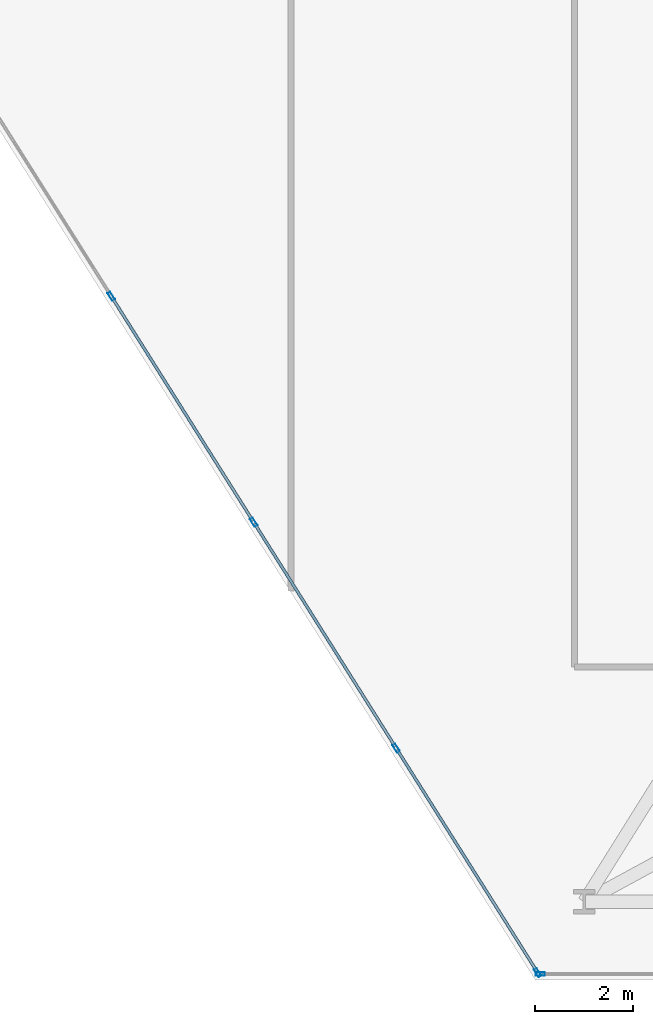
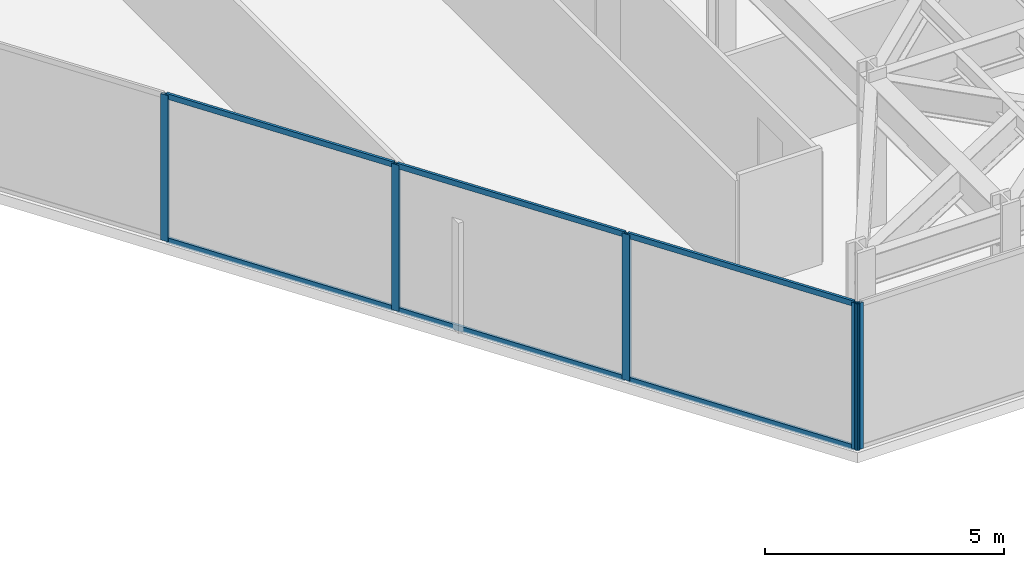
# One storey, part 12 of 25: 11 members, 2 elements without a shape of their own.
"""IFC4 building model written with IfcOpenShell, lengths in metres."""

from ifc_helpers import new_model, si_unit, direction, frame, origin, origin_2d, place, context, subcontext, project, spatial, hollow_rectangle, extrude, material, layer, layer_set, material_profile, profile_set, type_object, element, aggregate, save


model = new_model("IFC4")

# Units and contexts
model_context = context("Model", 3, precision=1e-05, world=origin(), true_north=direction((0.0, 1.0)))
body_context = subcontext(model_context, "Body", "Model", "MODEL_VIEW")
ifc_project = project(units=[si_unit("LENGTHUNIT", "METRE"), si_unit("AREAUNIT", "SQUARE_METRE"), si_unit("VOLUMEUNIT", "CUBIC_METRE"), si_unit("PLANEANGLEUNIT", "RADIAN"), si_unit("MASSUNIT", "GRAM", prefix="KILO")], contexts=[model_context])

# Site, building, storey
site_placement = place(None, origin())
site = spatial("IfcSite", under=ifc_project, at=site_placement, CompositionType="ELEMENT")
building_placement = place(site_placement, origin())
building = spatial("IfcBuilding", under=site, at=building_placement, Name="Kravanh Interchange Tower", CompositionType="ELEMENT")
storey_placement = place(building_placement, frame((0.0, 0.0, 73.5)))
storey = spatial("IfcBuildingStorey", under=building, at=storey_placement, Name="L17", CompositionType="ELEMENT", Elevation=73.5)

# Curtain wall, member
ifc_material_1 = material(Name="Anodised Bronze Aluminium", Category="aluminium")
ifc_layer = layer(ifc_material_1, 0.179931640625)
ifc_layer_set = layer_set([ifc_layer], Name="Unitised Curtain Wall System CW-Z1 Lower Office")
curtain_wall_type = type_object("IfcCurtainWallType", Name="Unitised Curtain Wall System CW-Z1 Lower Office", PredefinedType="NOTDEFINED", material=ifc_layer_set)
curtain_wall_1_placement = place(storey_placement, origin())
curtain_wall_1 = element("IfcCurtainWall", 1, at=curtain_wall_1_placement, inside=storey, type_object=curtain_wall_type, Name="L17 Unitised Curtain Wall CW-L17-03", PredefinedType="NOTDEFINED")
ifc_material_2 = material(Name="Anodised Bronze Aluminium", Category="aluminium")
ifc_material_profile_1 = material_profile(ifc_material_2, hollow_rectangle(XDim=0.070068359375, YDim=0.179931640625, WallThickness=0.00390625, at=origin_2d()), Name="ALU70X180X4")
ifc_profile_set_1 = profile_set([ifc_material_profile_1], Name="Anodised Bronze Aluminium")
member_type_1 = type_object("IfcMemberType", Name="Curtain Wall Mullion ALU70X180X4 Bronze", PredefinedType="MULLION", material=ifc_profile_set_1)
member_1_placement = place(storey_placement, frame((51.601318359375, 1.1201171875, 0.0), z_axis=(0.0, 0.0, 1.0), x_axis=(0.0, -1.0, 0.0)))
member_1 = element("IfcMember", 2, at=member_1_placement, type_object=member_type_1, Name="CW-Z1 mullion 3", PredefinedType="MULLION", context=body_context, shape_type="SweptSolid", body=[
    extrude(hollow_rectangle(XDim=0.070068359375, YDim=0.179931640625, WallThickness=0.00390625, at=origin_2d()), origin(), (0.0, 0.0, 1.0), 3.739990234375),
])
aggregate(curtain_wall_1, [member_1])

# Curtain wall, members
curtain_wall_2_placement = place(storey_placement, origin())
curtain_wall_2 = element("IfcCurtainWall", 3, at=curtain_wall_2_placement, inside=storey, type_object=curtain_wall_type, Name="L17 Unitised Curtain Wall CW-L17-04", PredefinedType="NOTDEFINED")
member_2_placement = place(storey_placement, frame((51.547607421875, 1.149658203125, 0.0), z_axis=(0.0, 0.0, 1.0), x_axis=(-0.845925530786, -0.53330103728, 0.0)))
member_2 = element("IfcMember", 4, at=member_2_placement, type_object=member_type_1, Name="CW-Z1 mullion 1", PredefinedType="MULLION", context=body_context, shape_type="SweptSolid", body=[
    extrude(hollow_rectangle(XDim=0.070068359375, YDim=0.179931640625, WallThickness=0.00390625, at=origin_2d()), origin(), (0.0, 0.0, 1.0), 3.739990234375),
])
member_3_placement = place(storey_placement, frame((48.653076171875, 5.740966796875, 0.0), z_axis=(0.0, 0.0, 1.0), x_axis=(-0.845925530786, -0.53330103728, 0.0)))
member_3 = element("IfcMember", 5, at=member_3_placement, type_object=member_type_1, Name="CW-Z1 mullion 2", PredefinedType="MULLION", context=body_context, shape_type="SweptSolid", body=[
    extrude(hollow_rectangle(XDim=0.070068359375, YDim=0.179931640625, WallThickness=0.00390625, at=origin_2d()), origin(), (0.0, 0.0, 1.0), 3.739990234375),
])
member_4_placement = place(storey_placement, frame((45.73974609375, 10.362060546875, 0.0), z_axis=(0.0, 0.0, 1.0), x_axis=(-0.845925530786, -0.53330103728, 0.0)))
member_4 = element("IfcMember", 6, at=member_4_placement, type_object=member_type_1, Name="CW-Z1 mullion 3", PredefinedType="MULLION", context=body_context, shape_type="SweptSolid", body=[
    extrude(hollow_rectangle(XDim=0.070068359375, YDim=0.179931640625, WallThickness=0.00390625, at=origin_2d()), origin(), (0.0, 0.0, 1.0), 3.739990234375),
])
member_5_placement = place(storey_placement, frame((42.826416015625, 14.98291015625, 0.0), z_axis=(0.0, 0.0, 1.0), x_axis=(-0.845925530786, -0.53330103728, 0.0)))
member_5 = element("IfcMember", 7, at=member_5_placement, type_object=member_type_1, Name="CW-Z1 mullion 4", PredefinedType="MULLION", context=body_context, shape_type="SweptSolid", body=[
    extrude(hollow_rectangle(XDim=0.070068359375, YDim=0.179931640625, WallThickness=0.00390625, at=origin_2d()), origin(), (0.0, 0.0, 1.0), 3.739990234375),
])
ifc_material_3 = material(Name="Anodised Bronze Aluminium", Category="aluminium")
ifc_material_profile_2 = material_profile(ifc_material_3, hollow_rectangle(XDim=0.06005859375, YDim=0.139892578125, WallThickness=0.00390625, at=origin_2d()), Name="ALU60X140X4")
ifc_profile_set_2 = profile_set([ifc_material_profile_2], Name="Anodised Bronze Aluminium")
member_type_2 = type_object("IfcMemberType", Name="Curtain Wall Transom ALU60X140X4 Bronze", PredefinedType="USERDEFINED", material=ifc_profile_set_2)
member_6_placement = place(storey_placement, frame((51.52880859375, 1.17919921875, 0.030029296875), z_axis=(-0.533288163518, 0.845933646719, 0.0), x_axis=(-0.845933646719, -0.533288163518, 0.0)))
member_6 = element("IfcMember", 8, at=member_6_placement, type_object=member_type_2, Name="CW-Z1 transom 1.1", ObjectType="TRANSOM", PredefinedType="USERDEFINED", context=body_context, shape_type="SweptSolid", body=[
    extrude(hollow_rectangle(XDim=0.06005859375, YDim=0.139892578125, WallThickness=0.00390625, at=origin_2d()), origin(), (0.0, 0.0, 1.0), 5.357666015625),
])
member_7_placement = place(storey_placement, frame((51.52880859375, 1.17919921875, 3.7099609375), z_axis=(-0.533288163518, 0.845933646719, 0.0), x_axis=(-0.845933646719, -0.533288163518, 0.0)))
member_7 = element("IfcMember", 9, at=member_7_placement, type_object=member_type_2, Name="CW-Z1 transom 1.2", ObjectType="TRANSOM", PredefinedType="USERDEFINED", context=body_context, shape_type="SweptSolid", body=[
    extrude(hollow_rectangle(XDim=0.06005859375, YDim=0.139892578125, WallThickness=0.00390625, at=origin_2d()), origin(), (0.0, 0.0, 1.0), 5.357666015625),
])
member_8_placement = place(storey_placement, frame((48.63427734375, 5.7705078125, 0.030029296875), z_axis=(-0.533311487456, 0.84591894254, 0.0), x_axis=(-0.84591894254, -0.533311487456, 0.0)))
member_8 = element("IfcMember", 10, at=member_8_placement, type_object=member_type_2, Name="CW-Z1 transom 2.1", ObjectType="TRANSOM", PredefinedType="USERDEFINED", context=body_context, shape_type="SweptSolid", body=[
    extrude(hollow_rectangle(XDim=0.06005859375, YDim=0.139892578125, WallThickness=0.00390625, at=origin_2d()), origin(), (0.0, 0.0, 1.0), 5.392578125),
])
member_9_placement = place(storey_placement, frame((48.63427734375, 5.7705078125, 3.7099609375), z_axis=(-0.533311487456, 0.84591894254, 0.0), x_axis=(-0.84591894254, -0.533311487456, 0.0)))
member_9 = element("IfcMember", 11, at=member_9_placement, type_object=member_type_2, Name="CW-Z1 transom 2.2", ObjectType="TRANSOM", PredefinedType="USERDEFINED", context=body_context, shape_type="SweptSolid", body=[
    extrude(hollow_rectangle(XDim=0.06005859375, YDim=0.139892578125, WallThickness=0.00390625, at=origin_2d()), origin(), (0.0, 0.0, 1.0), 5.392578125),
])
member_10_placement = place(storey_placement, frame((45.720947265625, 10.3916015625, 0.030029296875), z_axis=(-0.533279090152, 0.845939366626, 0.0), x_axis=(-0.845939366626, -0.533279090152, 0.0)))
member_10 = element("IfcMember", 12, at=member_10_placement, type_object=member_type_2, Name="CW-Z1 transom 3.1", ObjectType="TRANSOM", PredefinedType="USERDEFINED", context=body_context, shape_type="SweptSolid", body=[
    extrude(hollow_rectangle(XDim=0.06005859375, YDim=0.139892578125, WallThickness=0.00390625, at=origin_2d()), origin(), (0.0, 0.0, 1.0), 5.392578125),
])
member_11_placement = place(storey_placement, frame((45.720947265625, 10.3916015625, 3.7099609375), z_axis=(-0.533279090152, 0.845939366626, 0.0), x_axis=(-0.845939366626, -0.533279090152, 0.0)))
member_11 = element("IfcMember", 13, at=member_11_placement, type_object=member_type_2, Name="CW-Z1 transom 3.2", ObjectType="TRANSOM", PredefinedType="USERDEFINED", context=body_context, shape_type="SweptSolid", body=[
    extrude(hollow_rectangle(XDim=0.06005859375, YDim=0.139892578125, WallThickness=0.00390625, at=origin_2d()), origin(), (0.0, 0.0, 1.0), 5.392578125),
])
aggregate(curtain_wall_2, [member_2, member_3, member_4, member_5, member_6, member_7, member_8, member_9, member_10, member_11])

save(model, "model.ifc")
